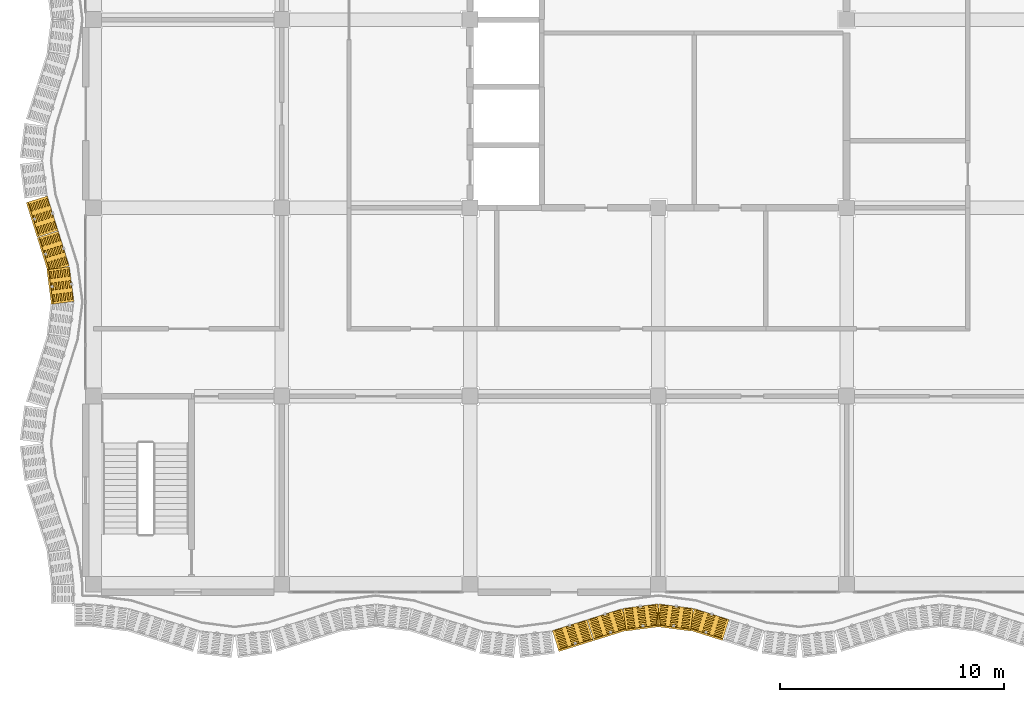
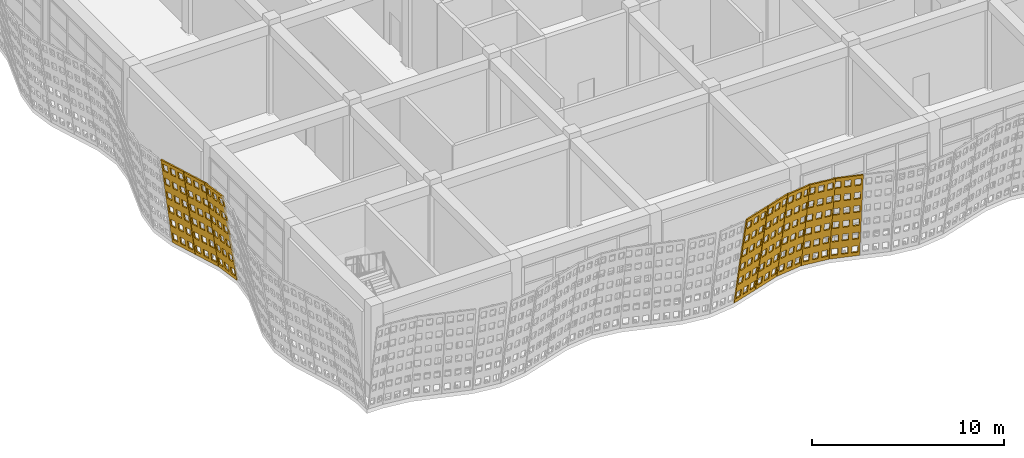
# One storey, part 151 of 210: 8 coverings.
"""IFC4 building model written with IfcOpenShell, lengths in metres."""

import ifcopenshell
import ifcopenshell.guid

model = None  # the IFC model being written
_history = None  # IfcOwnerHistory: only IFC2X3 demands one
_inside = {}  # id of a spatial element -> (the spatial element, [elements in it])
_under = {}  # id of a project, library or spatial element -> (it, [spatial elements below it])
_declared = {}  # id of a project -> (the project, [libraries it declares])
_typed = {}  # id of a type object -> (the type object, [elements of that type])
_made_of = {}  # id of a material, layer set ... -> (it, [elements and type objects made of it])


def new_model(schema):
    """Start an empty IFC model of exactly this schema.

    Asked for "IFC4X3", IfcOpenShell would pick the latest addendum, in which some entities
    have other attributes; the version numbers below select the first issue.
    IFC2X3 requires an IfcOwnerHistory on every rooted entity: one is made here for all.
    """
    global model, _history
    if schema == "IFC4X3":
        model = ifcopenshell.file(schema_version=(4, 3, 0, 0))
    else:
        model = ifcopenshell.file(schema=schema)
    _inside.clear()
    _under.clear()
    _declared.clear()
    _typed.clear()
    _made_of.clear()
    _history = None
    if model.schema == "IFC2X3":
        org = make("IfcOrganization", Name="unknown")
        user = make(
            "IfcPersonAndOrganization",
            ThePerson=make("IfcPerson", FamilyName="unknown"),
            TheOrganization=org,
        )
        app = make(
            "IfcApplication",
            ApplicationDeveloper=org,
            Version="unknown",
            ApplicationFullName="unknown",
            ApplicationIdentifier="unknown",
        )
        _history = make(
            "IfcOwnerHistory",
            OwningUser=user,
            OwningApplication=app,
            ChangeAction="ADDED",
            CreationDate=0,
        )
    return model


def make(cls, **values):
    """One entity of the class cls with the attributes given. An attribute that is None is left unset."""
    return model.create_entity(
        cls, **{name: value for name, value in values.items() if value is not None}
    )


def rooted(cls, **values):
    """An entity with a GlobalId (a new one), such as an element, a storey or a relation."""
    return make(cls, GlobalId=ifcopenshell.guid.new(), OwnerHistory=_history, **values)


def si_unit(unit_type, name, prefix=None):
    """IfcSIUnit, for example si_unit("LENGTHUNIT", "METRE", prefix="MILLI")."""
    return make("IfcSIUnit", UnitType=unit_type, Prefix=prefix, Name=name)


def assignment(units):
    """IfcUnitAssignment: the units of a project."""
    return None if units is None else make("IfcUnitAssignment", Units=units)


def point(xyz):
    """IfcCartesianPoint."""
    return None if xyz is None else make("IfcCartesianPoint", Coordinates=xyz)


def direction(xyz):
    """IfcDirection."""
    return None if xyz is None else make("IfcDirection", DirectionRatios=xyz)


def frame(location, z_axis=None, x_axis=None):
    """IfcAxis2Placement3D, a coordinate frame: its origin and axes. An axis left out is left unset."""
    return make(
        "IfcAxis2Placement3D",
        Location=point(location),
        Axis=direction(z_axis),
        RefDirection=direction(x_axis),
    )


def origin():
    """The frame at (0, 0, 0) with its axes left unset."""
    return frame((0.0, 0.0, 0.0))


def place(relative_to, where):
    """IfcLocalPlacement: puts the frame where relative to a parent placement (None: the world)."""
    return make(
        "IfcLocalPlacement", PlacementRelTo=relative_to, RelativePlacement=where
    )


def context(
    kind, dimensions, precision=None, world=None, true_north=None, identifier=None
):
    """IfcGeometricRepresentationContext, for example the 3D "Model" context."""
    return make(
        "IfcGeometricRepresentationContext",
        ContextIdentifier=identifier,
        ContextType=kind,
        CoordinateSpaceDimension=dimensions,
        Precision=precision,
        WorldCoordinateSystem=world,
        TrueNorth=true_north,
    )


def subcontext(parent, identifier, kind, view, scale=None):
    """IfcGeometricRepresentationSubContext, for example "Body" below "Model"."""
    return make(
        "IfcGeometricRepresentationSubContext",
        ContextIdentifier=identifier,
        ContextType=kind,
        ParentContext=parent,
        TargetScale=scale,
        TargetView=view,
    )


def project(units=None, contexts=None):
    """IfcProject with its units and contexts."""
    return rooted(
        "IfcProject",
        Name="project",
        RepresentationContexts=contexts,
        UnitsInContext=assignment(units),
    )


def spatial(cls, under=None, at=None, **own):
    """A site, building, storey or space (cls), placed at a placement, below another one or the project."""
    s = rooted(cls, ObjectPlacement=at, **own)
    if under is not None:
        _under.setdefault(under.id(), (under, []))[1].append(s)
    return s


def polyline(points):
    """IfcPolyline through the points."""
    return make("IfcPolyline", Points=[point(p) for p in points])


def outline(outer, holes=None, kind="AREA"):
    """IfcArbitraryClosedProfileDef: a profile drawn as a closed curve; with holes, ...WithVoids."""
    if holes is None:
        return make("IfcArbitraryClosedProfileDef", ProfileType=kind, OuterCurve=outer)
    return make(
        "IfcArbitraryProfileDefWithVoids",
        ProfileType=kind,
        OuterCurve=outer,
        InnerCurves=holes,
    )


def extrude(swept, where, along, depth):
    """IfcExtrudedAreaSolid: the profile swept, set in the frame where, extruded along a direction by depth."""
    return make(
        "IfcExtrudedAreaSolid",
        SweptArea=swept,
        Position=where,
        ExtrudedDirection=direction(along),
        Depth=depth,
    )


def shape(context_of_items, identifier, shape_type, items):
    """IfcShapeRepresentation: the items that make up one representation, for example the "Body"."""
    return make(
        "IfcShapeRepresentation",
        ContextOfItems=context_of_items,
        RepresentationIdentifier=identifier,
        RepresentationType=shape_type,
        Items=items,
    )


def material(Name=None, Category=None):
    """IfcMaterial."""
    return make("IfcMaterial", Name=Name, Category=Category)


def layer(
    of_material, thickness, ventilated=None, Name=None, Category=None, Priority=None
):
    """IfcMaterialLayer: one layer of a wall or slab, of a material (None: an air gap)."""
    return make(
        "IfcMaterialLayer",
        Material=of_material,
        LayerThickness=thickness,
        IsVentilated=ventilated,
        Name=Name,
        Category=Category,
        Priority=Priority,
    )


def layer_set(layers, Name=None):
    """IfcMaterialLayerSet."""
    return make("IfcMaterialLayerSet", MaterialLayers=layers, LayerSetName=Name)


def made_of(thing, what):
    """Note that an element or type object is made of a material, layer set ...; save() writes the relation."""
    if what is not None:
        _made_of.setdefault(what.id(), (what, []))[1].append(thing)
    return thing


def type_object(cls, material=None, **own):
    """A type object (cls), such as IfcWallType, which elements share."""
    return made_of(rooted(cls, **own), material)


def element(
    cls,
    number,
    at=None,
    inside=None,
    cuts=None,
    type_object=None,
    material=None,
    context=None,
    identifier="Body",
    shape_type=None,
    held_by="IfcProductDefinitionShape",
    body=None,
    shapes=None,
    **own,
):
    """One element of the class cls, such as IfcWall. Its Tag is "e" and its number.

    at: its placement. inside: the storey or other place that contains it. cuts: it is an
    opening in that element (IfcRelVoidsElement). A single representation is given by context,
    identifier, shape_type and body (its items); several are given by shapes. held_by: the class
    of the entity that holds the representations. save() writes the other relations.
    """
    e = rooted(cls, Tag="e%d" % number, ObjectPlacement=at, **own)
    if body is not None:
        shapes = [shape(context, identifier, shape_type, body)]
    if shapes is not None:
        e.Representation = make(held_by, Representations=shapes)
    if inside is not None:
        _inside.setdefault(inside.id(), (inside, []))[1].append(e)
    if cuts is not None:
        rooted(
            "IfcRelVoidsElement", RelatingBuildingElement=cuts, RelatedOpeningElement=e
        )
    if type_object is not None:
        _typed.setdefault(type_object.id(), (type_object, []))[1].append(e)
    return made_of(e, material)


def aggregate(whole, parts):
    """IfcRelAggregates: a whole, such as a stair, and the parts it consists of."""
    return rooted("IfcRelAggregates", RelatingObject=whole, RelatedObjects=parts)


def save(model, path):
    """Write the relations noted so far, then the file.

    IfcRelAggregates (storeys below a building ...), IfcRelContainedInSpatialStructure (elements
    in a storey), IfcRelDefinesByType, IfcRelAssociatesMaterial and IfcRelDeclares: one each for
    every whole, place, type object, material and project.
    """
    for whole, parts in _under.values():
        aggregate(whole, parts)
    for where, things in _inside.values():
        rooted(
            "IfcRelContainedInSpatialStructure",
            RelatedElements=things,
            RelatingStructure=where,
        )
    for kind, things in _typed.values():
        rooted("IfcRelDefinesByType", RelatedObjects=things, RelatingType=kind)
    for what, things in _made_of.values():
        rooted("IfcRelAssociatesMaterial", RelatedObjects=things, RelatingMaterial=what)
    for by, libraries in _declared.values():
        rooted("IfcRelDeclares", RelatingContext=by, RelatedDefinitions=libraries)
    model.write(path)


model = new_model("IFC4")

# Units and contexts
model_context = context("Model", 3, precision=1e-05, world=origin(), true_north=direction((0.0, 1.0)))
body_context = subcontext(model_context, "Body", "Model", "MODEL_VIEW")
ifc_project = project(units=[si_unit("LENGTHUNIT", "METRE"), si_unit("AREAUNIT", "SQUARE_METRE"), si_unit("VOLUMEUNIT", "CUBIC_METRE"), si_unit("PLANEANGLEUNIT", "RADIAN"), si_unit("MASSUNIT", "GRAM", prefix="KILO")], contexts=[model_context])

# Site, building, storey
site_placement = place(None, origin())
site = spatial("IfcSite", under=ifc_project, at=site_placement, CompositionType="ELEMENT")
building_placement = place(site_placement, origin())
building = spatial("IfcBuilding", under=site, at=building_placement, Name="Rain Tree Exposition and Congress Centre", CompositionType="ELEMENT")
storey_placement = place(building_placement, origin())
storey = spatial("IfcBuildingStorey", under=building, at=storey_placement, Name="L00", CompositionType="ELEMENT", Elevation=0.0)

# Coverings
ifc_material = material(Name="Perforated terracotta", Category="masonry")
ifc_layer = layer(ifc_material, 0.080078125)
ifc_layer_set = layer_set([ifc_layer], Name="Perforated terracotta")
covering_type = type_object("IfcCoveringType", Name="Terracotta screen 80", PredefinedType="CLADDING", material=ifc_layer_set)
covering_1_placement = place(storey_placement, frame((20.47509765625, -2.14501953125, 0.0), z_axis=(-0.295859611525, 0.942480618158, 0.155555053482), x_axis=(-0.954094597562, -0.29950542383, 0.0)))
element("IfcCovering", 1, at=covering_1_placement, inside=storey, type_object=covering_type, Name="wing/screen/L00/014", PredefinedType="CLADDING", context=body_context, shape_type="SweptSolid", body=[
    extrude(outline(polyline([(-1.635986328125, 0.0), (-1.635986328125, 5.808349609375), (-0.02197265625, 5.808349609375), (-0.02197265625, 0.0), (-1.635986328125, 0.0)]), holes=[polyline([(-0.124267578125, 0.249755859375), (-0.124267578125, 0.71826171875), (-0.457763671875, 0.71826171875), (-0.457763671875, 0.249755859375), (-0.124267578125, 0.249755859375)]), polyline([(-0.124267578125, 1.218017578125), (-0.124267578125, 1.686279296875), (-0.457763671875, 1.686279296875), (-0.457763671875, 1.218017578125), (-0.124267578125, 1.218017578125)]), polyline([(-0.124267578125, 2.18603515625), (-0.124267578125, 2.654296875), (-0.457763671875, 2.654296875), (-0.457763671875, 2.18603515625), (-0.124267578125, 2.18603515625)]), polyline([(-0.124267578125, 3.154052734375), (-0.124267578125, 3.62255859375), (-0.457763671875, 3.62255859375), (-0.457763671875, 3.154052734375), (-0.124267578125, 3.154052734375)]), polyline([(-0.124267578125, 4.1220703125), (-0.124267578125, 4.590576171875), (-0.457763671875, 4.590576171875), (-0.457763671875, 4.1220703125), (-0.124267578125, 4.1220703125)]), polyline([(-0.124267578125, 5.090087890625), (-0.124267578125, 5.55859375), (-0.457763671875, 5.55859375), (-0.457763671875, 5.090087890625), (-0.124267578125, 5.090087890625)]), polyline([(-0.662109375, 0.249755859375), (-0.662109375, 0.71826171875), (-0.995849609375, 0.71826171875), (-0.995849609375, 0.249755859375), (-0.662109375, 0.249755859375)]), polyline([(-0.662109375, 1.218017578125), (-0.662109375, 1.686279296875), (-0.995849609375, 1.686279296875), (-0.995849609375, 1.218017578125), (-0.662109375, 1.218017578125)]), polyline([(-0.662109375, 2.18603515625), (-0.662109375, 2.654296875), (-0.995849609375, 2.654296875), (-0.995849609375, 2.18603515625), (-0.662109375, 2.18603515625)]), polyline([(-0.662109375, 3.154052734375), (-0.662109375, 3.62255859375), (-0.995849609375, 3.62255859375), (-0.995849609375, 3.154052734375), (-0.662109375, 3.154052734375)]), polyline([(-0.662109375, 4.1220703125), (-0.662109375, 4.590576171875), (-0.995849609375, 4.590576171875), (-0.995849609375, 4.1220703125), (-0.662109375, 4.1220703125)]), polyline([(-0.662109375, 5.090087890625), (-0.662109375, 5.55859375), (-0.995849609375, 5.55859375), (-0.995849609375, 5.090087890625), (-0.662109375, 5.090087890625)]), polyline([(-1.2001953125, 0.249755859375), (-1.2001953125, 0.71826171875), (-1.53369140625, 0.71826171875), (-1.53369140625, 0.249755859375), (-1.2001953125, 0.249755859375)]), polyline([(-1.2001953125, 1.218017578125), (-1.2001953125, 1.686279296875), (-1.53369140625, 1.686279296875), (-1.53369140625, 1.218017578125), (-1.2001953125, 1.218017578125)]), polyline([(-1.2001953125, 2.18603515625), (-1.2001953125, 2.654296875), (-1.53369140625, 2.654296875), (-1.53369140625, 2.18603515625), (-1.2001953125, 2.18603515625)]), polyline([(-1.2001953125, 3.154052734375), (-1.2001953125, 3.62255859375), (-1.53369140625, 3.62255859375), (-1.53369140625, 3.154052734375), (-1.2001953125, 3.154052734375)]), polyline([(-1.2001953125, 4.1220703125), (-1.2001953125, 4.590576171875), (-1.53369140625, 4.590576171875), (-1.53369140625, 4.1220703125), (-1.2001953125, 4.1220703125)]), polyline([(-1.2001953125, 5.090087890625), (-1.2001953125, 5.55859375), (-1.53369140625, 5.55859375), (-1.53369140625, 5.090087890625), (-1.2001953125, 5.090087890625)])]), origin(), (0.0, 0.0, 1.0), 0.080078125),
])
covering_2_placement = place(storey_placement, frame((22.050048828125, -1.64990234375, 0.0), z_axis=(-0.296712403937, 0.94213835477, 0.156003428874), x_axis=(-0.953816392794, -0.300390227601, 0.0)))
element("IfcCovering", 2, at=covering_2_placement, inside=storey, type_object=covering_type, Name="wing/screen/L00/015", PredefinedType="CLADDING", context=body_context, shape_type="SweptSolid", body=[
    extrude(outline(polyline([(-1.635986328125, 0.0), (-1.635986328125, 5.808349609375), (-0.014892578125, 5.808349609375), (-0.014892578125, 0.0), (-1.635986328125, 0.0)]), holes=[polyline([(-0.11767578125, 0.249755859375), (-0.11767578125, 0.71826171875), (-0.45263671875, 0.71826171875), (-0.45263671875, 0.249755859375), (-0.11767578125, 0.249755859375)]), polyline([(-0.11767578125, 1.218017578125), (-0.11767578125, 1.686279296875), (-0.45263671875, 1.686279296875), (-0.45263671875, 1.218017578125), (-0.11767578125, 1.218017578125)]), polyline([(-0.11767578125, 2.18603515625), (-0.11767578125, 2.654296875), (-0.45263671875, 2.654296875), (-0.45263671875, 2.18603515625), (-0.11767578125, 2.18603515625)]), polyline([(-0.11767578125, 3.154052734375), (-0.11767578125, 3.62255859375), (-0.45263671875, 3.62255859375), (-0.45263671875, 3.154052734375), (-0.11767578125, 3.154052734375)]), polyline([(-0.11767578125, 4.1220703125), (-0.11767578125, 4.590576171875), (-0.45263671875, 4.590576171875), (-0.45263671875, 4.1220703125), (-0.11767578125, 4.1220703125)]), polyline([(-0.11767578125, 5.090087890625), (-0.11767578125, 5.55859375), (-0.45263671875, 5.55859375), (-0.45263671875, 5.090087890625), (-0.11767578125, 5.090087890625)]), polyline([(-0.657958984375, 0.249755859375), (-0.657958984375, 0.71826171875), (-0.992919921875, 0.71826171875), (-0.992919921875, 0.249755859375), (-0.657958984375, 0.249755859375)]), polyline([(-0.657958984375, 1.218017578125), (-0.657958984375, 1.686279296875), (-0.992919921875, 1.686279296875), (-0.992919921875, 1.218017578125), (-0.657958984375, 1.218017578125)]), polyline([(-0.657958984375, 2.18603515625), (-0.657958984375, 2.654296875), (-0.992919921875, 2.654296875), (-0.992919921875, 2.18603515625), (-0.657958984375, 2.18603515625)]), polyline([(-0.657958984375, 3.154052734375), (-0.657958984375, 3.62255859375), (-0.992919921875, 3.62255859375), (-0.992919921875, 3.154052734375), (-0.657958984375, 3.154052734375)]), polyline([(-0.657958984375, 4.1220703125), (-0.657958984375, 4.590576171875), (-0.992919921875, 4.590576171875), (-0.992919921875, 4.1220703125), (-0.657958984375, 4.1220703125)]), polyline([(-0.657958984375, 5.090087890625), (-0.657958984375, 5.55859375), (-0.992919921875, 5.55859375), (-0.992919921875, 5.090087890625), (-0.657958984375, 5.090087890625)]), polyline([(-1.1982421875, 0.249755859375), (-1.1982421875, 0.71826171875), (-1.533203125, 0.71826171875), (-1.533203125, 0.249755859375), (-1.1982421875, 0.249755859375)]), polyline([(-1.1982421875, 1.218017578125), (-1.1982421875, 1.686279296875), (-1.533203125, 1.686279296875), (-1.533203125, 1.218017578125), (-1.1982421875, 1.218017578125)]), polyline([(-1.1982421875, 2.18603515625), (-1.1982421875, 2.654296875), (-1.533203125, 2.654296875), (-1.533203125, 2.18603515625), (-1.1982421875, 2.18603515625)]), polyline([(-1.1982421875, 3.154052734375), (-1.1982421875, 3.62255859375), (-1.533203125, 3.62255859375), (-1.533203125, 3.154052734375), (-1.1982421875, 3.154052734375)]), polyline([(-1.1982421875, 4.1220703125), (-1.1982421875, 4.590576171875), (-1.533203125, 4.590576171875), (-1.533203125, 4.1220703125), (-1.1982421875, 4.1220703125)]), polyline([(-1.1982421875, 5.090087890625), (-1.1982421875, 5.55859375), (-1.533203125, 5.55859375), (-1.533203125, 5.090087890625), (-1.1982421875, 5.090087890625)])]), origin(), (0.0, 0.0, 1.0), 0.079833984375),
])
covering_3_placement = place(storey_placement, frame((23.625, -1.155029296875, 0.0), z_axis=(-0.1280309309, 0.978522114732, 0.161562841373), x_axis=(-0.991548658387, -0.129735338481, 0.0)))
element("IfcCovering", 3, at=covering_3_placement, inside=storey, type_object=covering_type, Name="wing/screen/L00/016", PredefinedType="CLADDING", context=body_context, shape_type="SweptSolid", body=[
    extrude(outline(polyline([(-1.5732421875, 0.0), (-1.5732421875, 5.813720703125), (-0.014892578125, 5.813720703125), (-0.014892578125, 0.0), (-1.5732421875, 0.0)]), holes=[polyline([(-0.11376953125, 0.25), (-0.11376953125, 0.718994140625), (-0.435791015625, 0.718994140625), (-0.435791015625, 0.25), (-0.11376953125, 0.25)]), polyline([(-0.11376953125, 1.218994140625), (-0.11376953125, 1.687744140625), (-0.435791015625, 1.687744140625), (-0.435791015625, 1.218994140625), (-0.11376953125, 1.218994140625)]), polyline([(-0.11376953125, 2.18798828125), (-0.11376953125, 2.65673828125), (-0.435791015625, 2.65673828125), (-0.435791015625, 2.18798828125), (-0.11376953125, 2.18798828125)]), polyline([(-0.11376953125, 3.15673828125), (-0.11376953125, 3.625732421875), (-0.435791015625, 3.625732421875), (-0.435791015625, 3.15673828125), (-0.11376953125, 3.15673828125)]), polyline([(-0.11376953125, 4.125732421875), (-0.11376953125, 4.594482421875), (-0.435791015625, 4.594482421875), (-0.435791015625, 4.125732421875), (-0.11376953125, 4.125732421875)]), polyline([(-0.11376953125, 5.0947265625), (-0.11376953125, 5.5634765625), (-0.435791015625, 5.5634765625), (-0.435791015625, 5.0947265625), (-0.11376953125, 5.0947265625)]), polyline([(-0.633056640625, 0.25), (-0.633056640625, 0.718994140625), (-0.955078125, 0.718994140625), (-0.955078125, 0.25), (-0.633056640625, 0.25)]), polyline([(-0.633056640625, 1.218994140625), (-0.633056640625, 1.687744140625), (-0.955078125, 1.687744140625), (-0.955078125, 1.218994140625), (-0.633056640625, 1.218994140625)]), polyline([(-0.633056640625, 2.18798828125), (-0.633056640625, 2.65673828125), (-0.955078125, 2.65673828125), (-0.955078125, 2.18798828125), (-0.633056640625, 2.18798828125)]), polyline([(-0.633056640625, 3.15673828125), (-0.633056640625, 3.625732421875), (-0.955078125, 3.625732421875), (-0.955078125, 3.15673828125), (-0.633056640625, 3.15673828125)]), polyline([(-0.633056640625, 4.125732421875), (-0.633056640625, 4.594482421875), (-0.955078125, 4.594482421875), (-0.955078125, 4.125732421875), (-0.633056640625, 4.125732421875)]), polyline([(-0.633056640625, 5.0947265625), (-0.633056640625, 5.5634765625), (-0.955078125, 5.5634765625), (-0.955078125, 5.0947265625), (-0.633056640625, 5.0947265625)]), polyline([(-1.152587890625, 0.25), (-1.152587890625, 0.718994140625), (-1.474609375, 0.718994140625), (-1.474609375, 0.25), (-1.152587890625, 0.25)]), polyline([(-1.152587890625, 1.218994140625), (-1.152587890625, 1.687744140625), (-1.474609375, 1.687744140625), (-1.474609375, 1.218994140625), (-1.152587890625, 1.218994140625)]), polyline([(-1.152587890625, 2.18798828125), (-1.152587890625, 2.65673828125), (-1.474609375, 2.65673828125), (-1.474609375, 2.18798828125), (-1.152587890625, 2.18798828125)]), polyline([(-1.152587890625, 3.15673828125), (-1.152587890625, 3.625732421875), (-1.474609375, 3.625732421875), (-1.474609375, 3.15673828125), (-1.152587890625, 3.15673828125)]), polyline([(-1.152587890625, 4.125732421875), (-1.152587890625, 4.594482421875), (-1.474609375, 4.594482421875), (-1.474609375, 4.125732421875), (-1.152587890625, 4.125732421875)]), polyline([(-1.152587890625, 5.0947265625), (-1.152587890625, 5.5634765625), (-1.474609375, 5.5634765625), (-1.474609375, 5.0947265625), (-1.152587890625, 5.0947265625)])]), origin(), (0.0, 0.0, 1.0), 0.080078125),
])
covering_4_placement = place(storey_placement, frame((25.199951171875, -0.949951171875, 0.0), z_axis=(0.1280309309, 0.978522114732, 0.161562841373), x_axis=(-0.991548658387, 0.129735338481, 0.0)))
element("IfcCovering", 4, at=covering_4_placement, inside=storey, type_object=covering_type, Name="wing/screen/L00/017", PredefinedType="CLADDING", context=body_context, shape_type="SweptSolid", body=[
    extrude(outline(polyline([(-1.5732421875, 0.0), (-1.5732421875, 5.813720703125), (-0.014892578125, 5.813720703125), (-0.014892578125, 0.0), (-1.5732421875, 0.0)]), holes=[polyline([(-0.11376953125, 0.25), (-0.11376953125, 0.718994140625), (-0.435791015625, 0.718994140625), (-0.435791015625, 0.25), (-0.11376953125, 0.25)]), polyline([(-0.11376953125, 1.218994140625), (-0.11376953125, 1.687744140625), (-0.435791015625, 1.687744140625), (-0.435791015625, 1.218994140625), (-0.11376953125, 1.218994140625)]), polyline([(-0.11376953125, 2.18798828125), (-0.11376953125, 2.65673828125), (-0.435791015625, 2.65673828125), (-0.435791015625, 2.18798828125), (-0.11376953125, 2.18798828125)]), polyline([(-0.11376953125, 3.15673828125), (-0.11376953125, 3.625732421875), (-0.435791015625, 3.625732421875), (-0.435791015625, 3.15673828125), (-0.11376953125, 3.15673828125)]), polyline([(-0.11376953125, 4.125732421875), (-0.11376953125, 4.594482421875), (-0.435791015625, 4.594482421875), (-0.435791015625, 4.125732421875), (-0.11376953125, 4.125732421875)]), polyline([(-0.11376953125, 5.0947265625), (-0.11376953125, 5.5634765625), (-0.435791015625, 5.5634765625), (-0.435791015625, 5.0947265625), (-0.11376953125, 5.0947265625)]), polyline([(-0.633056640625, 0.25), (-0.633056640625, 0.718994140625), (-0.955078125, 0.718994140625), (-0.955078125, 0.25), (-0.633056640625, 0.25)]), polyline([(-0.633056640625, 1.218994140625), (-0.633056640625, 1.687744140625), (-0.955078125, 1.687744140625), (-0.955078125, 1.218994140625), (-0.633056640625, 1.218994140625)]), polyline([(-0.633056640625, 2.18798828125), (-0.633056640625, 2.65673828125), (-0.955078125, 2.65673828125), (-0.955078125, 2.18798828125), (-0.633056640625, 2.18798828125)]), polyline([(-0.633056640625, 3.15673828125), (-0.633056640625, 3.625732421875), (-0.955078125, 3.625732421875), (-0.955078125, 3.15673828125), (-0.633056640625, 3.15673828125)]), polyline([(-0.633056640625, 4.125732421875), (-0.633056640625, 4.594482421875), (-0.955078125, 4.594482421875), (-0.955078125, 4.125732421875), (-0.633056640625, 4.125732421875)]), polyline([(-0.633056640625, 5.0947265625), (-0.633056640625, 5.5634765625), (-0.955078125, 5.5634765625), (-0.955078125, 5.0947265625), (-0.633056640625, 5.0947265625)]), polyline([(-1.152587890625, 0.25), (-1.152587890625, 0.718994140625), (-1.474609375, 0.718994140625), (-1.474609375, 0.25), (-1.152587890625, 0.25)]), polyline([(-1.152587890625, 1.218994140625), (-1.152587890625, 1.687744140625), (-1.474609375, 1.687744140625), (-1.474609375, 1.218994140625), (-1.152587890625, 1.218994140625)]), polyline([(-1.152587890625, 2.18798828125), (-1.152587890625, 2.65673828125), (-1.474609375, 2.65673828125), (-1.474609375, 2.18798828125), (-1.152587890625, 2.18798828125)]), polyline([(-1.152587890625, 3.15673828125), (-1.152587890625, 3.625732421875), (-1.474609375, 3.625732421875), (-1.474609375, 3.15673828125), (-1.152587890625, 3.15673828125)]), polyline([(-1.152587890625, 4.125732421875), (-1.152587890625, 4.594482421875), (-1.474609375, 4.594482421875), (-1.474609375, 4.125732421875), (-1.152587890625, 4.125732421875)]), polyline([(-1.152587890625, 5.0947265625), (-1.152587890625, 5.5634765625), (-1.474609375, 5.5634765625), (-1.474609375, 5.0947265625), (-1.152587890625, 5.0947265625)])]), origin(), (0.0, 0.0, 1.0), 0.080078125),
])
covering_5_placement = place(storey_placement, frame((26.77490234375, -1.155029296875, 0.0), z_axis=(0.295859611525, 0.942480618158, 0.155555053482), x_axis=(-0.954094597562, 0.29950542383, 0.0)))
element("IfcCovering", 5, at=covering_5_placement, inside=storey, type_object=covering_type, Name="wing/screen/L00/018", PredefinedType="CLADDING", context=body_context, shape_type="SweptSolid", body=[
    extrude(outline(polyline([(-1.635986328125, 0.0), (-1.635986328125, 5.808349609375), (-0.014892578125, 5.808349609375), (-0.014892578125, 0.0), (-1.635986328125, 0.0)]), holes=[polyline([(-0.11767578125, 0.249755859375), (-0.11767578125, 0.71826171875), (-0.45263671875, 0.71826171875), (-0.45263671875, 0.249755859375), (-0.11767578125, 0.249755859375)]), polyline([(-0.11767578125, 1.218017578125), (-0.11767578125, 1.686279296875), (-0.45263671875, 1.686279296875), (-0.45263671875, 1.218017578125), (-0.11767578125, 1.218017578125)]), polyline([(-0.11767578125, 2.18603515625), (-0.11767578125, 2.654296875), (-0.45263671875, 2.654296875), (-0.45263671875, 2.18603515625), (-0.11767578125, 2.18603515625)]), polyline([(-0.11767578125, 3.154052734375), (-0.11767578125, 3.62255859375), (-0.45263671875, 3.62255859375), (-0.45263671875, 3.154052734375), (-0.11767578125, 3.154052734375)]), polyline([(-0.11767578125, 4.1220703125), (-0.11767578125, 4.590576171875), (-0.45263671875, 4.590576171875), (-0.45263671875, 4.1220703125), (-0.11767578125, 4.1220703125)]), polyline([(-0.11767578125, 5.090087890625), (-0.11767578125, 5.55859375), (-0.45263671875, 5.55859375), (-0.45263671875, 5.090087890625), (-0.11767578125, 5.090087890625)]), polyline([(-0.657958984375, 0.249755859375), (-0.657958984375, 0.71826171875), (-0.992919921875, 0.71826171875), (-0.992919921875, 0.249755859375), (-0.657958984375, 0.249755859375)]), polyline([(-0.657958984375, 1.218017578125), (-0.657958984375, 1.686279296875), (-0.992919921875, 1.686279296875), (-0.992919921875, 1.218017578125), (-0.657958984375, 1.218017578125)]), polyline([(-0.657958984375, 2.18603515625), (-0.657958984375, 2.654296875), (-0.992919921875, 2.654296875), (-0.992919921875, 2.18603515625), (-0.657958984375, 2.18603515625)]), polyline([(-0.657958984375, 3.154052734375), (-0.657958984375, 3.62255859375), (-0.992919921875, 3.62255859375), (-0.992919921875, 3.154052734375), (-0.657958984375, 3.154052734375)]), polyline([(-0.657958984375, 4.1220703125), (-0.657958984375, 4.590576171875), (-0.992919921875, 4.590576171875), (-0.992919921875, 4.1220703125), (-0.657958984375, 4.1220703125)]), polyline([(-0.657958984375, 5.090087890625), (-0.657958984375, 5.55859375), (-0.992919921875, 5.55859375), (-0.992919921875, 5.090087890625), (-0.657958984375, 5.090087890625)]), polyline([(-1.1982421875, 0.249755859375), (-1.1982421875, 0.71826171875), (-1.533203125, 0.71826171875), (-1.533203125, 0.249755859375), (-1.1982421875, 0.249755859375)]), polyline([(-1.1982421875, 1.218017578125), (-1.1982421875, 1.686279296875), (-1.533203125, 1.686279296875), (-1.533203125, 1.218017578125), (-1.1982421875, 1.218017578125)]), polyline([(-1.1982421875, 2.18603515625), (-1.1982421875, 2.654296875), (-1.533203125, 2.654296875), (-1.533203125, 2.18603515625), (-1.1982421875, 2.18603515625)]), polyline([(-1.1982421875, 3.154052734375), (-1.1982421875, 3.62255859375), (-1.533203125, 3.62255859375), (-1.533203125, 3.154052734375), (-1.1982421875, 3.154052734375)]), polyline([(-1.1982421875, 4.1220703125), (-1.1982421875, 4.590576171875), (-1.533203125, 4.590576171875), (-1.533203125, 4.1220703125), (-1.1982421875, 4.1220703125)]), polyline([(-1.1982421875, 5.090087890625), (-1.1982421875, 5.55859375), (-1.533203125, 5.55859375), (-1.533203125, 5.090087890625), (-1.1982421875, 5.090087890625)])]), origin(), (0.0, 0.0, 1.0), 0.080078125),
])
covering_6_placement = place(storey_placement, frame((-2.14501953125, 17.324951171875, 0.0), z_axis=(0.942480618158, 0.295859611525, 0.155555053482), x_axis=(-0.29950542383, 0.954094597562, 0.0)))
element("IfcCovering", 6, at=covering_6_placement, inside=storey, type_object=covering_type, Name="wing/screen/L00/124", PredefinedType="CLADDING", context=body_context, shape_type="SweptSolid", body=[
    extrude(outline(polyline([(-1.635986328125, 0.0), (-1.635986328125, 5.808349609375), (-0.02197265625, 5.808349609375), (-0.02197265625, 0.0), (-1.635986328125, 0.0)]), holes=[polyline([(-0.124267578125, 0.249755859375), (-0.124267578125, 0.71826171875), (-0.457763671875, 0.71826171875), (-0.457763671875, 0.249755859375), (-0.124267578125, 0.249755859375)]), polyline([(-0.124267578125, 1.218017578125), (-0.124267578125, 1.686279296875), (-0.457763671875, 1.686279296875), (-0.457763671875, 1.218017578125), (-0.124267578125, 1.218017578125)]), polyline([(-0.124267578125, 2.18603515625), (-0.124267578125, 2.654296875), (-0.457763671875, 2.654296875), (-0.457763671875, 2.18603515625), (-0.124267578125, 2.18603515625)]), polyline([(-0.124267578125, 3.154052734375), (-0.124267578125, 3.62255859375), (-0.457763671875, 3.62255859375), (-0.457763671875, 3.154052734375), (-0.124267578125, 3.154052734375)]), polyline([(-0.124267578125, 4.1220703125), (-0.124267578125, 4.590576171875), (-0.457763671875, 4.590576171875), (-0.457763671875, 4.1220703125), (-0.124267578125, 4.1220703125)]), polyline([(-0.124267578125, 5.090087890625), (-0.124267578125, 5.55859375), (-0.457763671875, 5.55859375), (-0.457763671875, 5.090087890625), (-0.124267578125, 5.090087890625)]), polyline([(-0.662109375, 0.249755859375), (-0.662109375, 0.71826171875), (-0.995849609375, 0.71826171875), (-0.995849609375, 0.249755859375), (-0.662109375, 0.249755859375)]), polyline([(-0.662109375, 1.218017578125), (-0.662109375, 1.686279296875), (-0.995849609375, 1.686279296875), (-0.995849609375, 1.218017578125), (-0.662109375, 1.218017578125)]), polyline([(-0.662109375, 2.18603515625), (-0.662109375, 2.654296875), (-0.995849609375, 2.654296875), (-0.995849609375, 2.18603515625), (-0.662109375, 2.18603515625)]), polyline([(-0.662109375, 3.154052734375), (-0.662109375, 3.62255859375), (-0.995849609375, 3.62255859375), (-0.995849609375, 3.154052734375), (-0.662109375, 3.154052734375)]), polyline([(-0.662109375, 4.1220703125), (-0.662109375, 4.590576171875), (-0.995849609375, 4.590576171875), (-0.995849609375, 4.1220703125), (-0.662109375, 4.1220703125)]), polyline([(-0.662109375, 5.090087890625), (-0.662109375, 5.55859375), (-0.995849609375, 5.55859375), (-0.995849609375, 5.090087890625), (-0.662109375, 5.090087890625)]), polyline([(-1.2001953125, 0.249755859375), (-1.2001953125, 0.71826171875), (-1.53369140625, 0.71826171875), (-1.53369140625, 0.249755859375), (-1.2001953125, 0.249755859375)]), polyline([(-1.2001953125, 1.218017578125), (-1.2001953125, 1.686279296875), (-1.53369140625, 1.686279296875), (-1.53369140625, 1.218017578125), (-1.2001953125, 1.218017578125)]), polyline([(-1.2001953125, 2.18603515625), (-1.2001953125, 2.654296875), (-1.53369140625, 2.654296875), (-1.53369140625, 2.18603515625), (-1.2001953125, 2.18603515625)]), polyline([(-1.2001953125, 3.154052734375), (-1.2001953125, 3.62255859375), (-1.53369140625, 3.62255859375), (-1.53369140625, 3.154052734375), (-1.2001953125, 3.154052734375)]), polyline([(-1.2001953125, 4.1220703125), (-1.2001953125, 4.590576171875), (-1.53369140625, 4.590576171875), (-1.53369140625, 4.1220703125), (-1.2001953125, 4.1220703125)]), polyline([(-1.2001953125, 5.090087890625), (-1.2001953125, 5.55859375), (-1.53369140625, 5.55859375), (-1.53369140625, 5.090087890625), (-1.2001953125, 5.090087890625)])]), origin(), (0.0, 0.0, 1.0), 0.080078125),
])
covering_7_placement = place(storey_placement, frame((-1.64990234375, 15.75, 0.0), z_axis=(0.94213835477, 0.296712403937, 0.156003428874), x_axis=(-0.300390227601, 0.953816392794, 0.0)))
element("IfcCovering", 7, at=covering_7_placement, inside=storey, type_object=covering_type, Name="wing/screen/L00/125", PredefinedType="CLADDING", context=body_context, shape_type="SweptSolid", body=[
    extrude(outline(polyline([(-1.635986328125, 0.0), (-1.635986328125, 5.808349609375), (-0.014892578125, 5.808349609375), (-0.014892578125, 0.0), (-1.635986328125, 0.0)]), holes=[polyline([(-0.11767578125, 0.249755859375), (-0.11767578125, 0.71826171875), (-0.45263671875, 0.71826171875), (-0.45263671875, 0.249755859375), (-0.11767578125, 0.249755859375)]), polyline([(-0.11767578125, 1.218017578125), (-0.11767578125, 1.686279296875), (-0.45263671875, 1.686279296875), (-0.45263671875, 1.218017578125), (-0.11767578125, 1.218017578125)]), polyline([(-0.11767578125, 2.18603515625), (-0.11767578125, 2.654296875), (-0.45263671875, 2.654296875), (-0.45263671875, 2.18603515625), (-0.11767578125, 2.18603515625)]), polyline([(-0.11767578125, 3.154052734375), (-0.11767578125, 3.62255859375), (-0.45263671875, 3.62255859375), (-0.45263671875, 3.154052734375), (-0.11767578125, 3.154052734375)]), polyline([(-0.11767578125, 4.1220703125), (-0.11767578125, 4.590576171875), (-0.45263671875, 4.590576171875), (-0.45263671875, 4.1220703125), (-0.11767578125, 4.1220703125)]), polyline([(-0.11767578125, 5.090087890625), (-0.11767578125, 5.55859375), (-0.45263671875, 5.55859375), (-0.45263671875, 5.090087890625), (-0.11767578125, 5.090087890625)]), polyline([(-0.657958984375, 0.249755859375), (-0.657958984375, 0.71826171875), (-0.992919921875, 0.71826171875), (-0.992919921875, 0.249755859375), (-0.657958984375, 0.249755859375)]), polyline([(-0.657958984375, 1.218017578125), (-0.657958984375, 1.686279296875), (-0.992919921875, 1.686279296875), (-0.992919921875, 1.218017578125), (-0.657958984375, 1.218017578125)]), polyline([(-0.657958984375, 2.18603515625), (-0.657958984375, 2.654296875), (-0.992919921875, 2.654296875), (-0.992919921875, 2.18603515625), (-0.657958984375, 2.18603515625)]), polyline([(-0.657958984375, 3.154052734375), (-0.657958984375, 3.62255859375), (-0.992919921875, 3.62255859375), (-0.992919921875, 3.154052734375), (-0.657958984375, 3.154052734375)]), polyline([(-0.657958984375, 4.1220703125), (-0.657958984375, 4.590576171875), (-0.992919921875, 4.590576171875), (-0.992919921875, 4.1220703125), (-0.657958984375, 4.1220703125)]), polyline([(-0.657958984375, 5.090087890625), (-0.657958984375, 5.55859375), (-0.992919921875, 5.55859375), (-0.992919921875, 5.090087890625), (-0.657958984375, 5.090087890625)]), polyline([(-1.1982421875, 0.249755859375), (-1.1982421875, 0.71826171875), (-1.533203125, 0.71826171875), (-1.533203125, 0.249755859375), (-1.1982421875, 0.249755859375)]), polyline([(-1.1982421875, 1.218017578125), (-1.1982421875, 1.686279296875), (-1.533203125, 1.686279296875), (-1.533203125, 1.218017578125), (-1.1982421875, 1.218017578125)]), polyline([(-1.1982421875, 2.18603515625), (-1.1982421875, 2.654296875), (-1.533203125, 2.654296875), (-1.533203125, 2.18603515625), (-1.1982421875, 2.18603515625)]), polyline([(-1.1982421875, 3.154052734375), (-1.1982421875, 3.62255859375), (-1.533203125, 3.62255859375), (-1.533203125, 3.154052734375), (-1.1982421875, 3.154052734375)]), polyline([(-1.1982421875, 4.1220703125), (-1.1982421875, 4.590576171875), (-1.533203125, 4.590576171875), (-1.533203125, 4.1220703125), (-1.1982421875, 4.1220703125)]), polyline([(-1.1982421875, 5.090087890625), (-1.1982421875, 5.55859375), (-1.533203125, 5.55859375), (-1.533203125, 5.090087890625), (-1.1982421875, 5.090087890625)])]), origin(), (0.0, 0.0, 1.0), 0.079833984375),
])
covering_8_placement = place(storey_placement, frame((-1.155029296875, 14.175048828125, 0.0), z_axis=(0.978522114732, 0.1280309309, 0.161562841373), x_axis=(-0.129735338481, 0.991548658387, 0.0)))
element("IfcCovering", 8, at=covering_8_placement, inside=storey, type_object=covering_type, Name="wing/screen/L00/126", PredefinedType="CLADDING", context=body_context, shape_type="SweptSolid", body=[
    extrude(outline(polyline([(-1.5732421875, 0.0), (-1.5732421875, 5.813720703125), (-0.014892578125, 5.813720703125), (-0.014892578125, 0.0), (-1.5732421875, 0.0)]), holes=[polyline([(-0.11376953125, 0.25), (-0.11376953125, 0.718994140625), (-0.435791015625, 0.718994140625), (-0.435791015625, 0.25), (-0.11376953125, 0.25)]), polyline([(-0.11376953125, 1.218994140625), (-0.11376953125, 1.687744140625), (-0.435791015625, 1.687744140625), (-0.435791015625, 1.218994140625), (-0.11376953125, 1.218994140625)]), polyline([(-0.11376953125, 2.18798828125), (-0.11376953125, 2.65673828125), (-0.435791015625, 2.65673828125), (-0.435791015625, 2.18798828125), (-0.11376953125, 2.18798828125)]), polyline([(-0.11376953125, 3.15673828125), (-0.11376953125, 3.625732421875), (-0.435791015625, 3.625732421875), (-0.435791015625, 3.15673828125), (-0.11376953125, 3.15673828125)]), polyline([(-0.11376953125, 4.125732421875), (-0.11376953125, 4.594482421875), (-0.435791015625, 4.594482421875), (-0.435791015625, 4.125732421875), (-0.11376953125, 4.125732421875)]), polyline([(-0.11376953125, 5.0947265625), (-0.11376953125, 5.5634765625), (-0.435791015625, 5.5634765625), (-0.435791015625, 5.0947265625), (-0.11376953125, 5.0947265625)]), polyline([(-0.633056640625, 0.25), (-0.633056640625, 0.718994140625), (-0.955078125, 0.718994140625), (-0.955078125, 0.25), (-0.633056640625, 0.25)]), polyline([(-0.633056640625, 1.218994140625), (-0.633056640625, 1.687744140625), (-0.955078125, 1.687744140625), (-0.955078125, 1.218994140625), (-0.633056640625, 1.218994140625)]), polyline([(-0.633056640625, 2.18798828125), (-0.633056640625, 2.65673828125), (-0.955078125, 2.65673828125), (-0.955078125, 2.18798828125), (-0.633056640625, 2.18798828125)]), polyline([(-0.633056640625, 3.15673828125), (-0.633056640625, 3.625732421875), (-0.955078125, 3.625732421875), (-0.955078125, 3.15673828125), (-0.633056640625, 3.15673828125)]), polyline([(-0.633056640625, 4.125732421875), (-0.633056640625, 4.594482421875), (-0.955078125, 4.594482421875), (-0.955078125, 4.125732421875), (-0.633056640625, 4.125732421875)]), polyline([(-0.633056640625, 5.0947265625), (-0.633056640625, 5.5634765625), (-0.955078125, 5.5634765625), (-0.955078125, 5.0947265625), (-0.633056640625, 5.0947265625)]), polyline([(-1.152587890625, 0.25), (-1.152587890625, 0.718994140625), (-1.474609375, 0.718994140625), (-1.474609375, 0.25), (-1.152587890625, 0.25)]), polyline([(-1.152587890625, 1.218994140625), (-1.152587890625, 1.687744140625), (-1.474609375, 1.687744140625), (-1.474609375, 1.218994140625), (-1.152587890625, 1.218994140625)]), polyline([(-1.152587890625, 2.18798828125), (-1.152587890625, 2.65673828125), (-1.474609375, 2.65673828125), (-1.474609375, 2.18798828125), (-1.152587890625, 2.18798828125)]), polyline([(-1.152587890625, 3.15673828125), (-1.152587890625, 3.625732421875), (-1.474609375, 3.625732421875), (-1.474609375, 3.15673828125), (-1.152587890625, 3.15673828125)]), polyline([(-1.152587890625, 4.125732421875), (-1.152587890625, 4.594482421875), (-1.474609375, 4.594482421875), (-1.474609375, 4.125732421875), (-1.152587890625, 4.125732421875)]), polyline([(-1.152587890625, 5.0947265625), (-1.152587890625, 5.5634765625), (-1.474609375, 5.5634765625), (-1.474609375, 5.0947265625), (-1.152587890625, 5.0947265625)])]), origin(), (0.0, 0.0, 1.0), 0.080078125),
])

save(model, "model.ifc")
